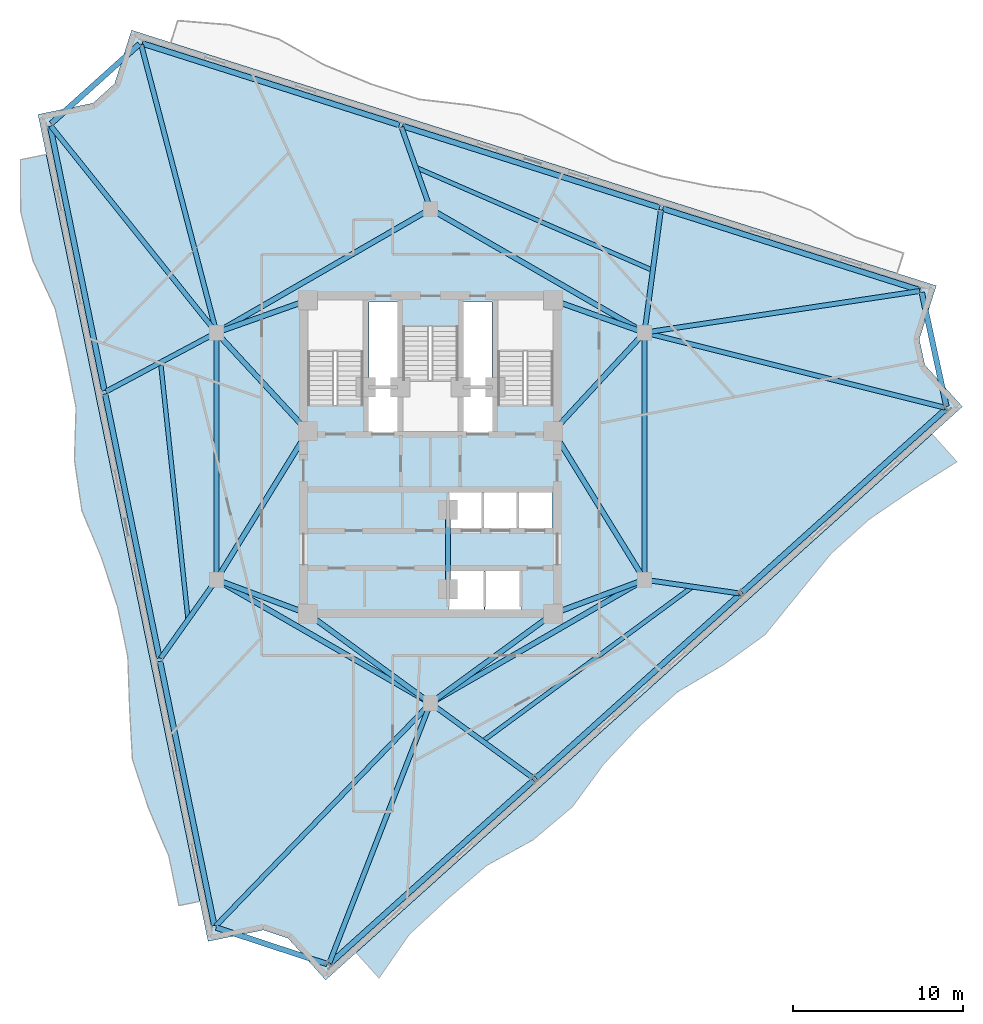
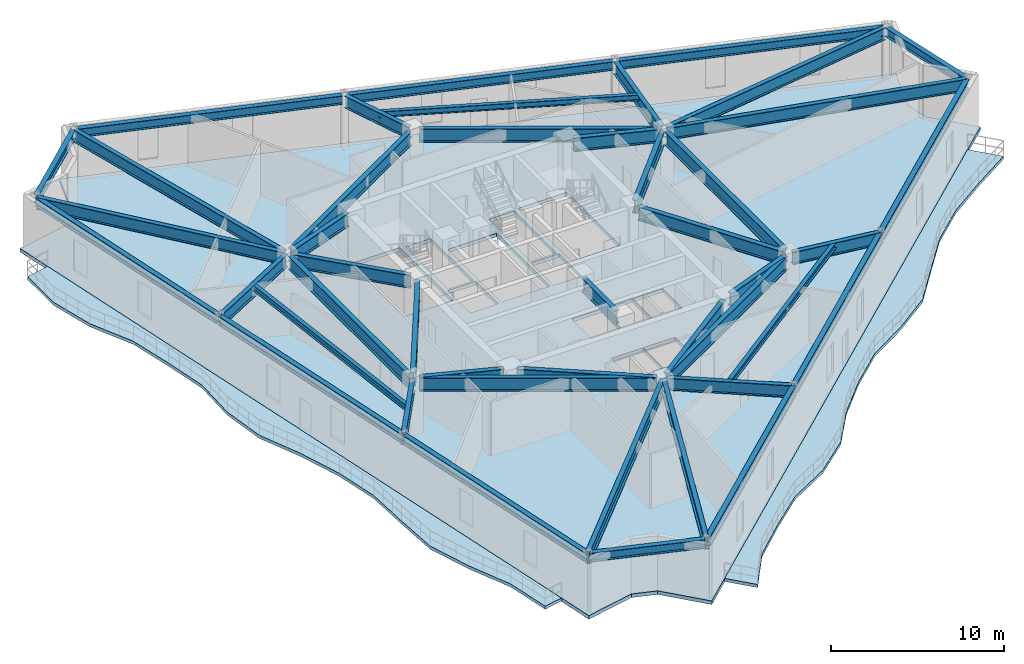
# One storey, part 4 of 12: 44 beams, 3 slabs.
"""IFC4 building model written with IfcOpenShell, lengths in metres."""

from ifc_helpers import new_model, si_unit, direction, frame, origin, origin_2d, place, context, subcontext, project, spatial, polyline, i_section, outline, extrude, material, layer, layer_set, material_profile, profile_set, type_object, element, save


model = new_model("IFC4")

# Units and contexts
model_context = context("Model", 3, precision=1e-05, world=origin(), true_north=direction((0.0, 1.0)))
body_context = subcontext(model_context, "Body", "Model", "MODEL_VIEW")
ifc_project = project(units=[si_unit("LENGTHUNIT", "METRE"), si_unit("AREAUNIT", "SQUARE_METRE"), si_unit("VOLUMEUNIT", "CUBIC_METRE"), si_unit("PLANEANGLEUNIT", "RADIAN"), si_unit("MASSUNIT", "GRAM", prefix="KILO")], contexts=[model_context])

# Site, building, storey
site_placement = place(None, origin())
site = spatial("IfcSite", under=ifc_project, at=site_placement, CompositionType="ELEMENT")
building_placement = place(site_placement, origin())
building = spatial("IfcBuilding", under=site, at=building_placement, Name="Apsidion Concourse Tower", CompositionType="ELEMENT")
storey_placement = place(building_placement, frame((0.0, 0.0, 240.39990234375)))
storey = spatial("IfcBuildingStorey", under=building, at=storey_placement, Name="L56", CompositionType="ELEMENT", Elevation=240.39990234375)

# Beams
ifc_material_1 = material(Name="Structural steel ASTM A992 Grade 50", Category="steel")
ifc_material_profile_1 = material_profile(ifc_material_1, i_section(OverallWidth=0.260009765625, OverallDepth=0.4150390625, WebThickness=0.010009765625, FlangeThickness=0.016845703125, at=origin_2d()), Name="W16X67")
ifc_profile_set_1 = profile_set([ifc_material_profile_1], Name="Structural steel ASTM A992 Grade 50")
beam_type_1 = type_object("IfcBeamType", Name="BM-FL-W16H", PredefinedType="BEAM", material=ifc_profile_set_1)
beam_1_placement = place(storey_placement, frame((-15.83642578125, 5.500732421875, 3.642578125), z_axis=(0.106172030497, -0.994347776153, 0.0), x_axis=(0.994347776153, 0.106172030497, 0.0)))
element("IfcBeam", 1, at=beam_1_placement, inside=storey, type_object=beam_type_1, Name="L56 Secondary Floor Beam SEC-F1", PredefinedType="BEAM", context=body_context, shape_type="SweptSolid", body=[
    extrude(i_section(OverallWidth=0.260009765625, OverallDepth=0.4150390625, WebThickness=0.010009765625, FlangeThickness=0.016845703125, at=origin_2d()), origin(), (0.0, 0.0, 1.0), 15.18359375),
])
beam_2_placement = place(storey_placement, frame((3.060791015625, -16.727294921875, 3.642578125), z_axis=(0.80548434449, 0.592617052389, 0.0), x_axis=(-0.592617052389, 0.80548434449, 0.0)))
element("IfcBeam", 2, at=beam_2_placement, inside=storey, type_object=beam_type_1, Name="L56 Secondary Floor Beam SEC-F2", PredefinedType="BEAM", context=body_context, shape_type="SweptSolid", body=[
    extrude(i_section(OverallWidth=0.260009765625, OverallDepth=0.4150390625, WebThickness=0.010009765625, FlangeThickness=0.016845703125, at=origin_2d()), origin(), (0.0, 0.0, 1.0), 15.301025390625),
])
beam_3_placement = place(storey_placement, frame((13.049560546875, 10.901611328125, 3.642578125), z_axis=(-0.917117371842, 0.398617267897, 0.0), x_axis=(-0.398617267897, -0.917117371842, 0.0)))
element("IfcBeam", 3, at=beam_3_placement, inside=storey, type_object=beam_type_1, Name="L56 Secondary Floor Beam SEC-F3", PredefinedType="BEAM", context=body_context, shape_type="SweptSolid", body=[
    extrude(i_section(OverallWidth=0.260009765625, OverallDepth=0.4150390625, WebThickness=0.010009765625, FlangeThickness=0.016845703125, at=origin_2d()), origin(), (0.0, 0.0, 1.0), 15.173828125),
])
ifc_material_profile_2 = material_profile(ifc_material_1, i_section(OverallWidth=0.2919921875, OverallDepth=0.85888671875, WebThickness=0.01708984375, FlangeThickness=0.031005859375, at=origin_2d()), Name="W33X169")
ifc_profile_set_2 = profile_set([ifc_material_profile_2], Name="Structural steel ASTM A992 Grade 50")
beam_type_2 = type_object("IfcBeamType", Name="BM-G-W33", PredefinedType="USERDEFINED", material=ifc_profile_set_2)
beam_4_placement = place(storey_placement, frame((-12.697509765625, 7.421630859375, 3.420654296875), z_axis=(-0.625472520241, 0.780246196033, 0.0), x_axis=(-0.780246196033, -0.625472520241, 0.0)))
element("IfcBeam", 4, at=beam_4_placement, inside=storey, type_object=beam_type_2, Name="L56 Radial Floor Girder RAD-01", ObjectType="GIRDER", PredefinedType="USERDEFINED", context=body_context, shape_type="SweptSolid", body=[
    extrude(i_section(OverallWidth=0.2919921875, OverallDepth=0.85888671875, WebThickness=0.01708984375, FlangeThickness=0.031005859375, at=origin_2d()), origin(), (0.0, 0.0, 1.0), 15.311767578125),
])
beam_5_placement = place(storey_placement, frame((-12.754150390625, 7.146484375, 3.420654296875), z_axis=(-0.88214083385, -0.470985720861, 0.0), x_axis=(0.470985720861, -0.88214083385, 0.0)))
element("IfcBeam", 5, at=beam_5_placement, inside=storey, type_object=beam_type_2, Name="L56 Radial Floor Girder RAD-02", ObjectType="GIRDER", PredefinedType="USERDEFINED", context=body_context, shape_type="SweptSolid", body=[
    extrude(i_section(OverallWidth=0.2919921875, OverallDepth=0.85888671875, WebThickness=0.01708984375, FlangeThickness=0.031005859375, at=origin_2d()), origin(), (0.0, 0.0, 1.0), 7.1083984375),
])
beam_6_placement = place(storey_placement, frame((-12.687255859375, -7.429443359375, 3.420654296875), z_axis=(-0.578459758238, -0.815710921895, 0.0), x_axis=(0.815710921895, -0.578459758238, 0.0)))
element("IfcBeam", 6, at=beam_6_placement, inside=storey, type_object=beam_type_2, Name="L56 Radial Floor Girder RAD-03", ObjectType="GIRDER", PredefinedType="USERDEFINED", context=body_context, shape_type="SweptSolid", body=[
    extrude(i_section(OverallWidth=0.2919921875, OverallDepth=0.85888671875, WebThickness=0.01708984375, FlangeThickness=0.031005859375, at=origin_2d()), origin(), (0.0, 0.0, 1.0), 5.434326171875),
])
beam_7_placement = place(storey_placement, frame((-0.152587890625, -14.658447265625, 3.420654296875), z_axis=(-0.693982841632, -0.719991538506, 0.0), x_axis=(0.719991538506, -0.693982841632, 0.0)))
element("IfcBeam", 7, at=beam_7_placement, inside=storey, type_object=beam_type_2, Name="L56 Radial Floor Girder RAD-04", ObjectType="GIRDER", PredefinedType="USERDEFINED", context=body_context, shape_type="SweptSolid", body=[
    extrude(i_section(OverallWidth=0.2919921875, OverallDepth=0.85888671875, WebThickness=0.01708984375, FlangeThickness=0.031005859375, at=origin_2d()), origin(), (0.0, 0.0, 1.0), 17.928955078125),
])
beam_8_placement = place(storey_placement, frame((-0.079833984375, -14.705078125, 3.420654296875), z_axis=(-0.36254845311, -0.931964923775, 0.0), x_axis=(0.931964923775, -0.36254845311, 0.0)))
element("IfcBeam", 8, at=beam_8_placement, inside=storey, type_object=beam_type_2, Name="L56 Radial Floor Girder RAD-05", ObjectType="GIRDER", PredefinedType="USERDEFINED", context=body_context, shape_type="SweptSolid", body=[
    extrude(i_section(OverallWidth=0.2919921875, OverallDepth=0.85888671875, WebThickness=0.01708984375, FlangeThickness=0.031005859375, at=origin_2d()), origin(), (0.0, 0.0, 1.0), 16.14013671875),
])
beam_9_placement = place(storey_placement, frame((0.177978515625, -14.62939453125, 3.420654296875), z_axis=(0.808567158699, -0.588403900288, 0.0), x_axis=(0.588403900288, 0.808567158699, 0.0)))
element("IfcBeam", 9, at=beam_9_placement, inside=storey, type_object=beam_type_2, Name="L56 Radial Floor Girder RAD-06", ObjectType="GIRDER", PredefinedType="USERDEFINED", context=body_context, shape_type="SweptSolid", body=[
    extrude(i_section(OverallWidth=0.2919921875, OverallDepth=0.85888671875, WebThickness=0.01708984375, FlangeThickness=0.031005859375, at=origin_2d()), origin(), (0.0, 0.0, 1.0), 7.251220703125),
])
beam_10_placement = place(storey_placement, frame((12.777587890625, -7.281494140625, 3.420654296875), z_axis=(0.98964652534, -0.143526147032, 0.0), x_axis=(0.143526147032, 0.98964652534, 0.0)))
element("IfcBeam", 10, at=beam_10_placement, inside=storey, type_object=beam_type_2, Name="L56 Radial Floor Girder RAD-07", ObjectType="GIRDER", PredefinedType="USERDEFINED", context=body_context, shape_type="SweptSolid", body=[
    extrude(i_section(OverallWidth=0.2919921875, OverallDepth=0.85888671875, WebThickness=0.01708984375, FlangeThickness=0.031005859375, at=origin_2d()), origin(), (0.0, 0.0, 1.0), 5.390625),
])
beam_11_placement = place(storey_placement, frame((12.7734375, 7.19677734375, 3.420654296875), z_axis=(0.97015368983, -0.242490861907, 0.0), x_axis=(0.242490861907, 0.97015368983, 0.0)))
element("IfcBeam", 11, at=beam_11_placement, inside=storey, type_object=beam_type_2, Name="L56 Radial Floor Girder RAD-08", ObjectType="GIRDER", PredefinedType="USERDEFINED", context=body_context, shape_type="SweptSolid", body=[
    extrude(i_section(OverallWidth=0.2919921875, OverallDepth=0.85888671875, WebThickness=0.01708984375, FlangeThickness=0.031005859375, at=origin_2d()), origin(), (0.0, 0.0, 1.0), 17.96630859375),
])
beam_12_placement = place(storey_placement, frame((12.777587890625, 7.282958984375, 3.420654296875), z_axis=(0.988774311252, 0.149416737377, 0.0), x_axis=(-0.149416737377, 0.988774311252, 0.0)))
element("IfcBeam", 12, at=beam_12_placement, inside=storey, type_object=beam_type_2, Name="L56 Radial Floor Girder RAD-09", ObjectType="GIRDER", PredefinedType="USERDEFINED", context=body_context, shape_type="SweptSolid", body=[
    extrude(i_section(OverallWidth=0.2919921875, OverallDepth=0.85888671875, WebThickness=0.01708984375, FlangeThickness=0.031005859375, at=origin_2d()), origin(), (0.0, 0.0, 1.0), 16.11572265625),
])
beam_13_placement = place(storey_placement, frame((12.589111328125, 7.468017578125, 3.420654296875), z_axis=(0.13290103696, 0.99112931264, 0.0), x_axis=(-0.99112931264, 0.13290103696, 0.0)))
element("IfcBeam", 13, at=beam_13_placement, inside=storey, type_object=beam_type_2, Name="L56 Radial Floor Girder RAD-10", ObjectType="GIRDER", PredefinedType="USERDEFINED", context=body_context, shape_type="SweptSolid", body=[
    extrude(i_section(OverallWidth=0.2919921875, OverallDepth=0.85888671875, WebThickness=0.01708984375, FlangeThickness=0.031005859375, at=origin_2d()), origin(), (0.0, 0.0, 1.0), 7.048583984375),
])
beam_14_placement = place(storey_placement, frame((-0.073486328125, 14.70751953125, 3.420654296875), z_axis=(-0.333398660175, 0.94278594251, 0.0), x_axis=(-0.94278594251, -0.333398660175, 0.0)))
element("IfcBeam", 14, at=beam_14_placement, inside=storey, type_object=beam_type_2, Name="L56 Radial Floor Girder RAD-11", ObjectType="GIRDER", PredefinedType="USERDEFINED", context=body_context, shape_type="SweptSolid", body=[
    extrude(i_section(OverallWidth=0.2919921875, OverallDepth=0.85888671875, WebThickness=0.01708984375, FlangeThickness=0.031005859375, at=origin_2d()), origin(), (0.0, 0.0, 1.0), 4.877685546875),
])
beam_15_placement = place(storey_placement, frame((-12.61572265625, 7.462890625, 3.420654296875), z_axis=(-0.253011847296, 0.967463180244, 0.0), x_axis=(-0.967463180244, -0.253011847296, 0.0)))
element("IfcBeam", 15, at=beam_15_placement, inside=storey, type_object=beam_type_2, Name="L56 Radial Floor Girder RAD-12", ObjectType="GIRDER", PredefinedType="USERDEFINED", context=body_context, shape_type="SweptSolid", body=[
    extrude(i_section(OverallWidth=0.2919921875, OverallDepth=0.85888671875, WebThickness=0.01708984375, FlangeThickness=0.031005859375, at=origin_2d()), origin(), (0.0, 0.0, 1.0), 17.249267578125),
])
ifc_material_profile_3 = material_profile(ifc_material_1, i_section(OverallWidth=0.31005859375, OverallDepth=0.931884765625, WebThickness=0.02099609375, FlangeThickness=0.034423828125, at=origin_2d()), Name="W36X210")
ifc_profile_set_3 = profile_set([ifc_material_profile_3], Name="Structural steel ASTM A992 Grade 50")
beam_type_3 = type_object("IfcBeamType", Name="BM-G-W36", PredefinedType="USERDEFINED", material=ifc_profile_set_3)
beam_16_placement = place(storey_placement, frame((-12.185302734375, -7.389892578125, 3.384033203125), z_axis=(0.936913021145, -0.349562570664, 0.0), x_axis=(0.349562570664, 0.936913021145, 0.0)))
element("IfcBeam", 16, at=beam_16_placement, inside=storey, type_object=beam_type_3, Name="L56 Core Coupling Girder IC1-SC1", ObjectType="GIRDER", PredefinedType="USERDEFINED", context=body_context, shape_type="SweptSolid", body=[
    extrude(i_section(OverallWidth=0.31005859375, OverallDepth=0.931884765625, WebThickness=0.02099609375, FlangeThickness=0.034423828125, at=origin_2d()), origin(), (0.0, 0.0, 1.0), 4.921142578125),
])
beam_17_placement = place(storey_placement, frame((-12.35009765625, -6.909423828125, 3.384033203125), z_axis=(0.524524009763, 0.851395656074, 0.0), x_axis=(-0.851395656074, 0.524524009763, 0.0)))
element("IfcBeam", 17, at=beam_17_placement, inside=storey, type_object=beam_type_3, Name="L56 Core Coupling Girder IC1-SC6", ObjectType="GIRDER", PredefinedType="USERDEFINED", context=body_context, shape_type="SweptSolid", body=[
    extrude(i_section(OverallWidth=0.31005859375, OverallDepth=0.931884765625, WebThickness=0.02099609375, FlangeThickness=0.034423828125, at=origin_2d()), origin(), (0.0, 0.0, 1.0), 9.41845703125),
])
beam_18_placement = place(storey_placement, frame((12.185302734375, -7.389892578125, 3.384033203125), z_axis=(-0.936913021145, -0.349562570664, 0.0), x_axis=(0.349562570664, -0.936913021145, 0.0)))
element("IfcBeam", 18, at=beam_18_placement, inside=storey, type_object=beam_type_3, Name="L56 Core Coupling Girder IC2-SC2", ObjectType="GIRDER", PredefinedType="USERDEFINED", context=body_context, shape_type="SweptSolid", body=[
    extrude(i_section(OverallWidth=0.31005859375, OverallDepth=0.931884765625, WebThickness=0.02099609375, FlangeThickness=0.034423828125, at=origin_2d()), origin(), (0.0, 0.0, 1.0), 4.921142578125),
])
beam_19_placement = place(storey_placement, frame((12.35009765625, -6.909423828125, 3.384033203125), z_axis=(-0.524524009763, 0.851395656074, 0.0), x_axis=(-0.851395656074, -0.524524009763, 0.0)))
element("IfcBeam", 19, at=beam_19_placement, inside=storey, type_object=beam_type_3, Name="L56 Core Coupling Girder IC2-SC3", ObjectType="GIRDER", PredefinedType="USERDEFINED", context=body_context, shape_type="SweptSolid", body=[
    extrude(i_section(OverallWidth=0.31005859375, OverallDepth=0.931884765625, WebThickness=0.02099609375, FlangeThickness=0.034423828125, at=origin_2d()), origin(), (0.0, 0.0, 1.0), 9.41845703125),
])
beam_20_placement = place(storey_placement, frame((12.28857421875, 6.956298828125, 3.384033203125), z_axis=(-0.678712876106, -0.73440372535, 0.0), x_axis=(0.73440372535, -0.678712876106, 0.0)))
element("IfcBeam", 20, at=beam_20_placement, inside=storey, type_object=beam_type_3, Name="L56 Core Coupling Girder IC3-SC3", ObjectType="GIRDER", PredefinedType="USERDEFINED", context=body_context, shape_type="SweptSolid", body=[
    extrude(i_section(OverallWidth=0.31005859375, OverallDepth=0.931884765625, WebThickness=0.02099609375, FlangeThickness=0.034423828125, at=origin_2d()), origin(), (0.0, 0.0, 1.0), 7.097412109375),
])
beam_21_placement = place(storey_placement, frame((12.18310546875, 7.383544921875, 3.384033203125), z_axis=(-0.942533844539, 0.334110688094, 0.0), x_axis=(-0.334110688094, -0.942533844539, 0.0)))
element("IfcBeam", 21, at=beam_21_placement, inside=storey, type_object=beam_type_3, Name="L56 Core Coupling Girder IC3-SC4", ObjectType="GIRDER", PredefinedType="USERDEFINED", context=body_context, shape_type="SweptSolid", body=[
    extrude(i_section(OverallWidth=0.31005859375, OverallDepth=0.931884765625, WebThickness=0.02099609375, FlangeThickness=0.034423828125, at=origin_2d()), origin(), (0.0, 0.0, 1.0), 4.886962890625),
])
beam_22_placement = place(storey_placement, frame((-12.28857421875, 6.956298828125, 3.384033203125), z_axis=(0.678712876106, -0.73440372535, 0.0), x_axis=(0.73440372535, 0.678712876106, 0.0)))
element("IfcBeam", 22, at=beam_22_placement, inside=storey, type_object=beam_type_3, Name="L56 Core Coupling Girder IC5-SC6", ObjectType="GIRDER", PredefinedType="USERDEFINED", context=body_context, shape_type="SweptSolid", body=[
    extrude(i_section(OverallWidth=0.31005859375, OverallDepth=0.931884765625, WebThickness=0.02099609375, FlangeThickness=0.034423828125, at=origin_2d()), origin(), (0.0, 0.0, 1.0), 7.097412109375),
])
beam_23_placement = place(storey_placement, frame((-12.18310546875, 7.383544921875, 3.384033203125), z_axis=(0.942533844539, 0.334110688094, 0.0), x_axis=(-0.334110688094, 0.942533844539, 0.0)))
element("IfcBeam", 23, at=beam_23_placement, inside=storey, type_object=beam_type_3, Name="L56 Core Coupling Girder IC5-SC5", ObjectType="GIRDER", PredefinedType="USERDEFINED", context=body_context, shape_type="SweptSolid", body=[
    extrude(i_section(OverallWidth=0.31005859375, OverallDepth=0.931884765625, WebThickness=0.02099609375, FlangeThickness=0.034423828125, at=origin_2d()), origin(), (0.0, 0.0, 1.0), 4.886962890625),
])
for number, where, z_axis, x_axis, name in (
    (24, (-0.3232421875, -14.264404296875, 3.384033203125), (-0.807993498909, 0.589191399905, 0.0), (-0.589191399905, -0.807993498909, 0.0), "L56 Core Coupling Girder IC6-SC1"),
    (25, (0.3232421875, -14.264404296875, 3.384033203125), (0.807993498909, 0.589191399905, 0.0), (-0.589191399905, 0.807993498909, 0.0), "L56 Core Coupling Girder IC6-SC2"),
):
    element("IfcBeam", number, at=place(storey_placement, frame(where, z_axis=z_axis, x_axis=x_axis)), inside=storey, type_object=beam_type_3, Name=name, ObjectType="GIRDER", PredefinedType="USERDEFINED", context=body_context, shape_type="SweptSolid", body=[
        extrude(i_section(OverallWidth=0.31005859375, OverallDepth=0.931884765625, WebThickness=0.02099609375, FlangeThickness=0.034423828125, at=origin_2d()), origin(), (0.0, 0.0, 1.0), 8.11083984375),
    ])
beam_24_placement = place(storey_placement, frame((-12.56005859375, -6.85009765625, 3.384033203125), z_axis=(0.0, 1.0, 0.0), x_axis=(-1.0, 0.0, 0.0)))
element("IfcBeam", 26, at=beam_24_placement, inside=storey, type_object=beam_type_3, Name="L56 Core Coupling Girder IC1-IC5", ObjectType="GIRDER", PredefinedType="USERDEFINED", context=body_context, shape_type="SweptSolid", body=[
    extrude(i_section(OverallWidth=0.31005859375, OverallDepth=0.931884765625, WebThickness=0.02099609375, FlangeThickness=0.034423828125, at=origin_2d()), origin(), (0.0, 0.0, 1.0), 13.7001953125),
])
for number, where, z_axis, x_axis, name in (
    (27, (-12.213623046875, 7.449951171875, 3.384033203125), (0.866070471464, 0.499921932364, 0.0), (-0.499921932364, 0.866070471464, 0.0), "L56 Core Coupling Girder IC5-IC4"),
    (28, (0.346435546875, 14.300048828125, 3.384033203125), (0.866070471464, -0.499921932364, 0.0), (0.499921932364, 0.866070471464, 0.0), "L56 Core Coupling Girder IC4-IC3"),
):
    element("IfcBeam", number, at=place(storey_placement, frame(where, z_axis=z_axis, x_axis=x_axis)), inside=storey, type_object=beam_type_3, Name=name, ObjectType="GIRDER", PredefinedType="USERDEFINED", context=body_context, shape_type="SweptSolid", body=[
        extrude(i_section(OverallWidth=0.31005859375, OverallDepth=0.931884765625, WebThickness=0.02099609375, FlangeThickness=0.034423828125, at=origin_2d()), origin(), (0.0, 0.0, 1.0), 13.702392578125),
    ])
beam_25_placement = place(storey_placement, frame((12.56005859375, 6.85009765625, 3.384033203125), z_axis=(0.0, -1.0, 0.0), x_axis=(1.0, 0.0, 0.0)))
element("IfcBeam", 29, at=beam_25_placement, inside=storey, type_object=beam_type_3, Name="L56 Core Coupling Girder IC3-IC2", ObjectType="GIRDER", PredefinedType="USERDEFINED", context=body_context, shape_type="SweptSolid", body=[
    extrude(i_section(OverallWidth=0.31005859375, OverallDepth=0.931884765625, WebThickness=0.02099609375, FlangeThickness=0.034423828125, at=origin_2d()), origin(), (0.0, 0.0, 1.0), 13.7001953125),
])
for number, where, z_axis, x_axis, name in (
    (30, (12.213623046875, -7.449951171875, 3.384033203125), (-0.866070471464, -0.499921932364, 0.0), (0.499921932364, -0.866070471464, 0.0), "L56 Core Coupling Girder IC2-IC6"),
    (31, (-0.346435546875, -14.300048828125, 3.384033203125), (-0.866070471464, 0.499921932364, 0.0), (-0.499921932364, -0.866070471464, 0.0), "L56 Core Coupling Girder IC6-IC1"),
):
    element("IfcBeam", number, at=place(storey_placement, frame(where, z_axis=z_axis, x_axis=x_axis)), inside=storey, type_object=beam_type_3, Name=name, ObjectType="GIRDER", PredefinedType="USERDEFINED", context=body_context, shape_type="SweptSolid", body=[
        extrude(i_section(OverallWidth=0.31005859375, OverallDepth=0.931884765625, WebThickness=0.02099609375, FlangeThickness=0.034423828125, at=origin_2d()), origin(), (0.0, 0.0, 1.0), 13.702392578125),
    ])
beam_26_placement = place(storey_placement, frame((1.02490234375, -3.550048828125, 3.384033203125), z_axis=(0.0, -1.0, 0.0), x_axis=(1.0, 0.0, 0.0)))
element("IfcBeam", 32, at=beam_26_placement, inside=storey, type_object=beam_type_3, Name="L56 Core Coupling Girder CC5-CC6", ObjectType="GIRDER", PredefinedType="USERDEFINED", context=body_context, shape_type="SweptSolid", body=[
    extrude(i_section(OverallWidth=0.31005859375, OverallDepth=0.931884765625, WebThickness=0.02099609375, FlangeThickness=0.034423828125, at=origin_2d()), origin(), (0.0, 0.0, 1.0), 3.849853515625),
])
ifc_material_profile_4 = material_profile(ifc_material_1, i_section(OverallWidth=0.324951171875, OverallDepth=0.616943359375, WebThickness=0.013916015625, FlangeThickness=0.021484375, at=origin_2d()), Name="W24X117")
ifc_profile_set_4 = profile_set([ifc_material_profile_4], Name="Structural steel ASTM A992 Grade 50")
beam_type_4 = type_object("IfcBeamType", Name="BM-SP-W24", PredefinedType="SPANDREL", material=ifc_profile_set_4)
beam_27_placement = place(storey_placement, frame((-22.317138671875, 19.3486328125, 3.54150390625), z_axis=(0.201231912796, -0.979543627039, 0.0), x_axis=(0.979543627039, 0.201231912796, 0.0)))
element("IfcBeam", 33, at=beam_27_placement, inside=storey, type_object=beam_type_4, Name="L56 Perimeter Spandrel Girder SP-01", PredefinedType="SPANDREL", context=body_context, shape_type="SweptSolid", body=[
    extrude(i_section(OverallWidth=0.324951171875, OverallDepth=0.616943359375, WebThickness=0.013916015625, FlangeThickness=0.021484375, at=origin_2d()), origin(), (0.0, 0.0, 1.0), 15.822998046875),
])
beam_28_placement = place(storey_placement, frame((-19.0927734375, 3.6533203125, 3.54150390625), z_axis=(0.201234954239, -0.979543002217, 0.0), x_axis=(0.979543002217, 0.201234954239, 0.0)))
element("IfcBeam", 34, at=beam_28_placement, inside=storey, type_object=beam_type_4, Name="L56 Perimeter Spandrel Girder SP-02", PredefinedType="SPANDREL", context=body_context, shape_type="SweptSolid", body=[
    extrude(i_section(OverallWidth=0.324951171875, OverallDepth=0.616943359375, WebThickness=0.013916015625, FlangeThickness=0.021484375, at=origin_2d()), origin(), (0.0, 0.0, 1.0), 15.82275390625),
])
beam_29_placement = place(storey_placement, frame((-15.86865234375, -12.041748046875, 3.54150390625), z_axis=(0.201231912796, -0.979543627039, 0.0), x_axis=(0.979543627039, 0.201231912796, 0.0)))
element("IfcBeam", 35, at=beam_29_placement, inside=storey, type_object=beam_type_4, Name="L56 Perimeter Spandrel Girder SP-03", PredefinedType="SPANDREL", context=body_context, shape_type="SweptSolid", body=[
    extrude(i_section(OverallWidth=0.324951171875, OverallDepth=0.616943359375, WebThickness=0.013916015625, FlangeThickness=0.021484375, at=origin_2d()), origin(), (0.0, 0.0, 1.0), 15.822998046875),
])
beam_30_placement = place(storey_placement, frame((-12.5693359375, -27.67041015625, 3.54150390625), z_axis=(0.950000938621, -0.312247044211, 0.0), x_axis=(0.312247044211, 0.950000938621, 0.0)))
element("IfcBeam", 36, at=beam_30_placement, inside=storey, type_object=beam_type_4, Name="L56 Perimeter Spandrel Girder SP-04", PredefinedType="SPANDREL", context=body_context, shape_type="SweptSolid", body=[
    extrude(i_section(OverallWidth=0.324951171875, OverallDepth=0.616943359375, WebThickness=0.013916015625, FlangeThickness=0.021484375, at=origin_2d()), origin(), (0.0, 0.0, 1.0), 6.849365234375),
])
for number, where, z_axis, x_axis, name in (
    (37, (-5.893310546875, -29.773193359375, 3.54150390625), (0.743150581284, 0.669124213833, 0.0), (-0.669124213833, 0.743150581284, 0.0), "L56 Perimeter Spandrel Girder SP-05"),
    (38, (6.196044921875, -18.887939453125, 3.54150390625), (0.743150581284, 0.669124213833, 0.0), (-0.669124213833, 0.743150581284, 0.0), "L56 Perimeter Spandrel Girder SP-06"),
    (39, (18.285400390625, -8.002685546875, 3.54150390625), (0.743150581284, 0.669124213833, 0.0), (-0.669124213833, 0.743150581284, 0.0), "L56 Perimeter Spandrel Girder SP-07"),
):
    element("IfcBeam", number, at=place(storey_placement, frame(where, z_axis=z_axis, x_axis=x_axis)), inside=storey, type_object=beam_type_4, Name=name, PredefinedType="SPANDREL", context=body_context, shape_type="SweptSolid", body=[
        extrude(i_section(OverallWidth=0.324951171875, OverallDepth=0.616943359375, WebThickness=0.013916015625, FlangeThickness=0.021484375, at=origin_2d()), origin(), (0.0, 0.0, 1.0), 16.06787109375),
    ])
beam_31_placement = place(storey_placement, frame((30.279541015625, 2.91357421875, 3.54150390625), z_axis=(-0.211269287353, 0.977427894129, 0.0), x_axis=(-0.977427894129, -0.211269287353, 0.0)))
element("IfcBeam", 40, at=beam_31_placement, inside=storey, type_object=beam_type_4, Name="L56 Perimeter Spandrel Girder SP-08", PredefinedType="SPANDREL", context=body_context, shape_type="SweptSolid", body=[
    extrude(i_section(OverallWidth=0.324951171875, OverallDepth=0.616943359375, WebThickness=0.013916015625, FlangeThickness=0.021484375, at=origin_2d()), origin(), (0.0, 0.0, 1.0), 6.84912109375),
])
for number, where, z_axis, x_axis, name in (
    (41, (28.716064453125, 9.736083984375, 3.54150390625), (-0.953145595639, 0.302511939458, 0.0), (-0.302511939458, -0.953145595639, 0.0), "L56 Perimeter Spandrel Girder SP-09"),
    (42, (13.44384765625, 14.58349609375, 3.54150390625), (-0.953145595639, 0.302511939458, 0.0), (-0.302511939458, -0.953145595639, 0.0), "L56 Perimeter Spandrel Girder SP-10"),
    (43, (-1.828369140625, 19.4306640625, 3.54150390625), (-0.953145595639, 0.302511939458, 0.0), (-0.302511939458, -0.953145595639, 0.0), "L56 Perimeter Spandrel Girder SP-11"),
):
    element("IfcBeam", number, at=place(storey_placement, frame(where, z_axis=z_axis, x_axis=x_axis)), inside=storey, type_object=beam_type_4, Name=name, PredefinedType="SPANDREL", context=body_context, shape_type="SweptSolid", body=[
        extrude(i_section(OverallWidth=0.324951171875, OverallDepth=0.616943359375, WebThickness=0.013916015625, FlangeThickness=0.021484375, at=origin_2d()), origin(), (0.0, 0.0, 1.0), 15.822998046875),
    ])
beam_32_placement = place(storey_placement, frame((-17.07958984375, 24.1806640625, 3.54150390625), z_axis=(-0.743153149962, -0.669121360966, 0.0), x_axis=(0.669121360966, -0.743153149962, 0.0)))
element("IfcBeam", 44, at=beam_32_placement, inside=storey, type_object=beam_type_4, Name="L56 Perimeter Spandrel Girder SP-12", PredefinedType="SPANDREL", context=body_context, shape_type="SweptSolid", body=[
    extrude(i_section(OverallWidth=0.324951171875, OverallDepth=0.616943359375, WebThickness=0.013916015625, FlangeThickness=0.021484375, at=origin_2d()), origin(), (0.0, 0.0, 1.0), 6.974853515625),
])

# Slabs
ifc_material_2 = material(Name="Concrete C50/60", Category="concrete")
ifc_layer_1 = layer(ifc_material_2, 0.219970703125)
ifc_layer_set_1 = layer_set([ifc_layer_1], Name="Concrete C50/60")
slab_type_1 = type_object("IfcSlabType", Name="SL-BAL-220", PredefinedType="FLOOR", material=ifc_layer_set_1)
slab_1_placement = place(storey_placement, frame((0.0, 0.0, -0.219970703125)))
element("IfcSlab", 45, at=slab_1_placement, inside=storey, type_object=slab_type_1, Name="L56 Face 1 Rippling Balcony Slab", PredefinedType="FLOOR", context=body_context, shape_type="SweptSolid", body=[
    extrude(outline(polyline([(-22.54541015625, 17.70361328125), (-21.9443359375, 14.781494140625), (-21.343505859375, 11.859619140625), (-20.74267578125, 8.93798828125), (-20.141845703125, 6.01611328125), (-19.541015625, 3.093994140625), (-18.940185546875, 0.17236328125), (-18.339111328125, -2.74951171875), (-17.73828125, -5.67138671875), (-17.137451171875, -8.593505859375), (-16.53662109375, -11.51513671875), (-15.935791015625, -14.43701171875), (-15.3349609375, -17.35888671875), (-14.734130859375, -20.28076171875), (-14.13330078125, -23.20263671875), (-13.5322265625, -26.12451171875), (-14.756591796875, -26.37646484375), (-15.357666015625, -23.45458984375), (-16.5458984375, -20.653564453125), (-17.48779296875, -17.8017578125), (-17.65380859375, -14.790283203125), (-17.760986328125, -11.76708984375), (-18.36181640625, -8.84521484375), (-19.29052734375, -5.99072265625), (-20.456298828125, -3.18505859375), (-20.89013671875, -0.228759765625), (-20.796142578125, 2.8359375), (-21.3662109375, 5.76416015625), (-22.029052734375, 8.67333984375), (-23.31787109375, 11.45361328125), (-24.04931640625, 14.348876953125), (-24.0634765625, 17.391357421875), (-22.54541015625, 17.70361328125)])), origin(), (0.0, 0.0, 1.0), 0.219970703125),
])
slab_2_placement = place(storey_placement, frame((0.0, 0.0, -0.219970703125)))
element("IfcSlab", 46, at=slab_2_placement, inside=storey, type_object=slab_type_1, Name="L56 Face 2 Rippling Balcony Slab", PredefinedType="FLOOR", context=body_context, shape_type="SweptSolid", body=[
    extrude(outline(polyline([(-4.364501953125, -29.136962890625), (-2.111328125, -27.108154296875), (0.141845703125, -25.079345703125), (2.39501953125, -23.050537109375), (4.648193359375, -21.021728515625), (6.901611328125, -18.992919921875), (9.15478515625, -16.964111328125), (11.407958984375, -14.935302734375), (13.6611328125, -12.906494140625), (15.914306640625, -10.877685546875), (18.16748046875, -8.848876953125), (20.420654296875, -6.820068359375), (22.673828125, -4.791259765625), (24.927001953125, -2.762451171875), (27.180419921875, -0.733642578125), (29.43359375, 1.295166015625), (30.896484375, -0.329833984375), (28.293701171875, -1.97021484375), (25.763671875, -3.69140625), (23.51025390625, -5.72021484375), (21.5673828125, -8.093505859375), (19.63623046875, -10.47998046875), (17.162109375, -12.263671875), (14.49755859375, -13.83544921875), (12.244384765625, -15.8642578125), (10.1591796875, -18.07958984375), (8.3291015625, -20.57861328125), (6.008056640625, -22.531982421875), (3.281005859375, -24.034423828125), (0.978271484375, -26.00830078125), (-1.24560546875, -28.069580078125), (-3.02001953125, -30.63037109375), (-4.364501953125, -29.136962890625)])), origin(), (0.0, 0.0, 1.0), 0.219970703125),
])
ifc_layer_2 = layer(ifc_material_2, 0.25)
ifc_layer_set_2 = layer_set([ifc_layer_2], Name="Concrete C50/60")
slab_type_2 = type_object("IfcSlabType", Name="SL-FLR-250", PredefinedType="FLOOR", material=ifc_layer_set_2)
slab_3_placement = place(storey_placement, frame((0.0, 0.0, -0.25)))
element("IfcSlab", 47, at=slab_3_placement, inside=storey, type_object=slab_type_2, Name="L56 Structural Floor Slab", PredefinedType="FLOOR", context=body_context, shape_type="SweptSolid", body=[
    extrude(outline(polyline([(-17.537353515625, 24.998779296875), (-18.535400390625, 21.8564453125), (-19.79931640625, 20.718505859375), (-23.02880859375, 20.05419921875), (-13.048828125, -28.475341796875), (-9.819580078125, -27.811279296875), (-8.354248046875, -28.292724609375), (-6.148193359375, -30.742919921875), (31.217041015625, 2.90087890625), (29.010986328125, 5.35107421875), (28.685302734375, 6.858642578125), (29.683349609375, 10.0009765625), (-17.537353515625, 24.998779296875)]), holes=[polyline([(-3.949951171875, 3.0), (-3.949951171875, 9.14990234375), (-7.199951171875, 9.14990234375), (-7.199951171875, 3.0), (-3.949951171875, 3.0)]), polyline([(7.199951171875, 3.0), (7.199951171875, 9.14990234375), (3.949951171875, 9.14990234375), (3.949951171875, 3.0), (7.199951171875, 3.0)]), polyline([(-1.625, 7.60009765625), (-1.625, 1.449951171875), (1.625, 1.449951171875), (1.625, 7.60009765625), (-1.625, 7.60009765625)]), polyline([(1.054931640625, -4.300048828125), (3.044921875, -4.300048828125), (3.044921875, -2.050048828125), (1.054931640625, -2.050048828125), (1.054931640625, -4.300048828125)]), polyline([(3.10498046875, -4.300048828125), (5.094970703125, -4.300048828125), (5.094970703125, -2.050048828125), (3.10498046875, -2.050048828125), (3.10498046875, -4.300048828125)]), polyline([(5.155029296875, -4.300048828125), (7.14501953125, -4.300048828125), (7.14501953125, -2.050048828125), (5.155029296875, -2.050048828125), (5.155029296875, -4.300048828125)]), polyline([(1.044921875, -9.0), (3.155029296875, -9.0), (3.155029296875, -6.64990234375), (1.044921875, -6.64990234375), (1.044921875, -9.0)]), polyline([(3.195068359375, -9.0), (5.304931640625, -9.0), (5.304931640625, -6.64990234375), (3.195068359375, -6.64990234375), (3.195068359375, -9.0)]), polyline([(-3.7099609375, 1.39990234375), (-1.85009765625, 1.39990234375), (-1.85009765625, 4.0), (-3.7099609375, 4.0), (-3.7099609375, 1.39990234375)]), polyline([(1.85009765625, 1.39990234375), (3.7099609375, 1.39990234375), (3.7099609375, 4.0), (1.85009765625, 4.0), (1.85009765625, 1.39990234375)]), polyline([(-3.6201171875, 4.14990234375), (-1.93994140625, 4.14990234375), (-1.93994140625, 9.050048828125), (-3.6201171875, 9.050048828125), (-3.6201171875, 4.14990234375)]), polyline([(1.93994140625, 4.14990234375), (3.6201171875, 4.14990234375), (3.6201171875, 9.050048828125), (1.93994140625, 9.050048828125), (1.93994140625, 4.14990234375)])]), origin(), (0.0, 0.0, 1.0), 0.25),
])

save(model, "model.ifc")
